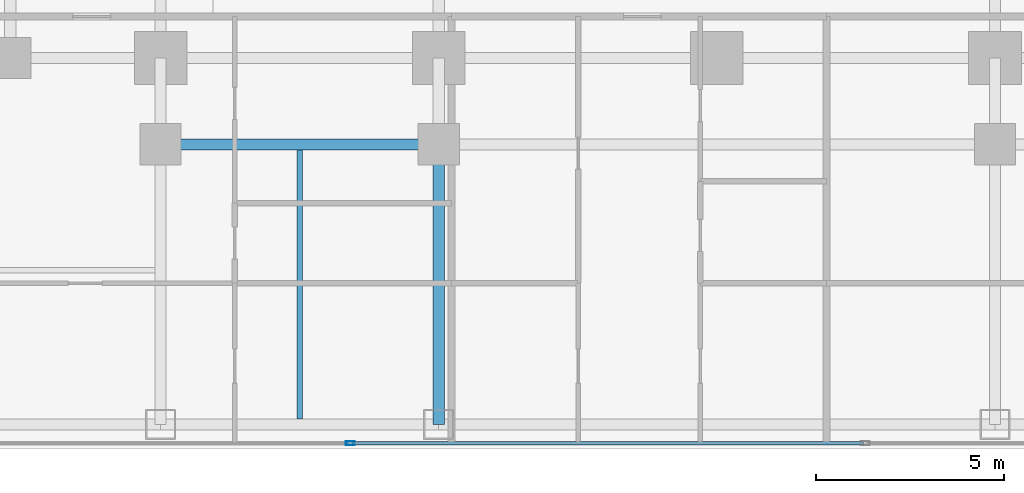
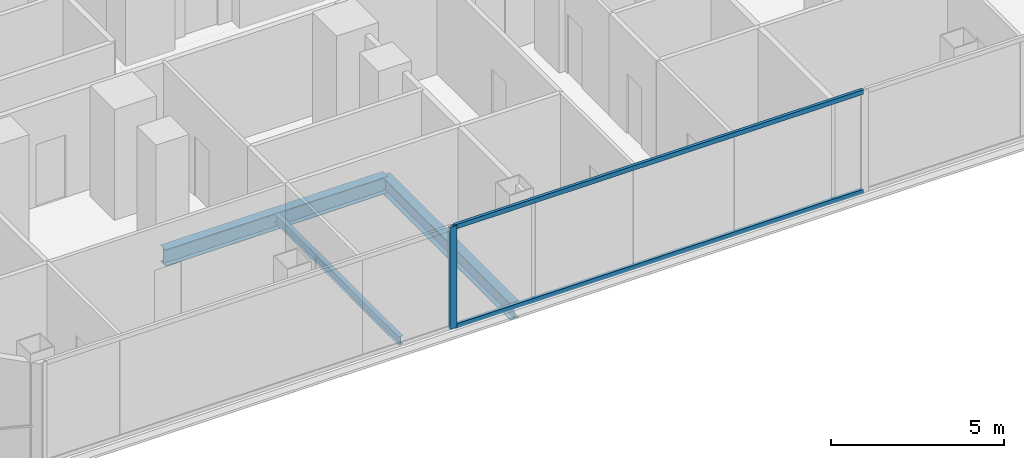
# One storey, part 4 of 29: 3 beams, 3 members, 1 element without a shape of its own.
"""IFC4 building model written with IfcOpenShell, lengths in metres."""

from ifc_helpers import new_model, si_unit, direction, frame, origin, origin_2d, place, context, subcontext, project, spatial, hollow_rectangle, i_section, extrude, material, layer, layer_set, material_profile, profile_set, type_object, element, aggregate, save


model = new_model("IFC4")

# Units and contexts
model_context = context("Model", 3, precision=1e-05, world=origin(), true_north=direction((0.0, 1.0)))
body_context = subcontext(model_context, "Body", "Model", "MODEL_VIEW")
ifc_project = project(units=[si_unit("LENGTHUNIT", "METRE"), si_unit("AREAUNIT", "SQUARE_METRE"), si_unit("VOLUMEUNIT", "CUBIC_METRE"), si_unit("PLANEANGLEUNIT", "RADIAN"), si_unit("MASSUNIT", "GRAM", prefix="KILO")], contexts=[model_context])

# Site, building, storey
site_placement = place(None, origin())
site = spatial("IfcSite", under=ifc_project, at=site_placement, CompositionType="ELEMENT")
building_placement = place(site_placement, origin())
building = spatial("IfcBuilding", under=site, at=building_placement, Name="Khorvyn Point Tower", CompositionType="ELEMENT")
storey_placement = place(building_placement, frame((0.0, 0.0, 73.5)))
storey = spatial("IfcBuildingStorey", under=building, at=storey_placement, Name="L19", CompositionType="ELEMENT", Elevation=73.5)

# Curtain wall, members
ifc_material_1 = material(Name="Anodised aluminium 6063-T6 and laminated Low-E glass", Category="aluminium")
ifc_layer = layer(ifc_material_1, 0.18994140625)
ifc_layer_set = layer_set([ifc_layer], Name="Stick-Built Finned Residential Curtain Wall CW-SYS-02")
curtain_wall_type = type_object("IfcCurtainWallType", Name="Stick-Built Finned Residential Curtain Wall CW-SYS-02", PredefinedType="NOTDEFINED", material=ifc_layer_set)
curtain_wall_placement = place(storey_placement, origin())
curtain_wall = element("IfcCurtainWall", 1, at=curtain_wall_placement, inside=storey, type_object=curtain_wall_type, Name="Curtain Wall", PredefinedType="NOTDEFINED")
ifc_material_2 = material(Name="Anodised aluminium 6063-T6", Category="aluminium")
ifc_material_profile_1 = material_profile(ifc_material_2, hollow_rectangle(XDim=0.10009765625, YDim=0.239990234375, WallThickness=0.0048828125, at=origin_2d()))
ifc_profile_set_1 = profile_set([ifc_material_profile_1], Name="Anodised aluminium 6063-T6 ALU-MUL-100x240")
member_type_1 = type_object("IfcMemberType", Name="Anodised Aluminium 6063-T6 Mullion ALU-MUL-100x240", PredefinedType="MULLION", material=ifc_profile_set_1)
member_1_placement = place(storey_placement, frame((-9.75, -25.050048828125, 0.0), z_axis=(0.0, 0.0, 1.0), x_axis=(0.0, -1.0, 0.0)))
member_1 = element("IfcMember", 2, at=member_1_placement, type_object=member_type_1, Name="Transom", PredefinedType="MULLION", context=body_context, shape_type="SweptSolid", body=[
    extrude(hollow_rectangle(XDim=0.10009765625, YDim=0.239990234375, WallThickness=0.0048828125, at=origin_2d()), origin(), (0.0, 0.0, 1.0), 3.60009765625),
])
ifc_material_profile_2 = material_profile(ifc_material_2, hollow_rectangle(XDim=0.10009765625, YDim=0.159912109375, WallThickness=0.00439453125, at=origin_2d()))
ifc_profile_set_2 = profile_set([ifc_material_profile_2], Name="Anodised aluminium 6063-T6 ALU-TRN-100x160")
member_type_2 = type_object("IfcMemberType", Name="Anodised Aluminium 6063-T6 Transom ALU-TRN-100x160", PredefinedType="USERDEFINED", material=ifc_profile_set_2)
member_2_placement = place(storey_placement, frame((3.89990234375, -25.050048828125, 0.050048828125), z_axis=(-1.0, 0.0, 0.0), x_axis=(0.0, -1.0, 0.0)))
member_2 = element("IfcMember", 3, at=member_2_placement, type_object=member_type_2, Name="Transom", ObjectType="TRANSOM", PredefinedType="USERDEFINED", context=body_context, shape_type="SweptSolid", body=[
    extrude(hollow_rectangle(XDim=0.10009765625, YDim=0.159912109375, WallThickness=0.00439453125, at=origin_2d()), origin(), (0.0, 0.0, 1.0), 13.599853515625),
])
member_3_placement = place(storey_placement, frame((3.89990234375, -25.050048828125, 3.550048828125), z_axis=(-1.0, 0.0, 0.0), x_axis=(0.0, -1.0, 0.0)))
member_3 = element("IfcMember", 4, at=member_3_placement, type_object=member_type_2, Name="Transom", ObjectType="TRANSOM", PredefinedType="USERDEFINED", context=body_context, shape_type="SweptSolid", body=[
    extrude(hollow_rectangle(XDim=0.10009765625, YDim=0.159912109375, WallThickness=0.00439453125, at=origin_2d()), origin(), (0.0, 0.0, 1.0), 13.599853515625),
])
aggregate(curtain_wall, [member_1, member_2, member_3])

# Beams
ifc_material_3 = material(Name="Steel S355", Category="steel")
ifc_material_profile_3 = material_profile(ifc_material_3, i_section(OverallWidth=0.300048828125, OverallDepth=0.587890625, WebThickness=0.011962890625, FlangeThickness=0.02001953125, at=origin_2d()))
ifc_profile_set_3 = profile_set([ifc_material_profile_3], Name="Steel S355 H588x300x12x20")
beam_type_1 = type_object("IfcBeamType", Name="Steel S355 Beam H588x300x12x20", PredefinedType="BEAM", material=ifc_profile_set_3)
beam_1_placement = place(storey_placement, frame((-14.800048828125, -17.10009765625, -0.513916015625), z_axis=(1.0, 0.0, 0.0), x_axis=(0.0, 1.0, 0.0)))
element("IfcBeam", 5, at=beam_1_placement, inside=storey, type_object=beam_type_1, Name="Beam", PredefinedType="BEAM", context=body_context, shape_type="SweptSolid", body=[
    extrude(i_section(OverallWidth=0.300048828125, OverallDepth=0.587890625, WebThickness=0.011962890625, FlangeThickness=0.02001953125, at=origin_2d()), origin(), (0.0, 0.0, 1.0), 7.400146484375),
])
beam_2_placement = place(storey_placement, frame((-7.39990234375, -24.550048828125, -0.513916015625), z_axis=(0.0, 1.0, 0.0), x_axis=(-1.0, 0.0, 0.0)))
element("IfcBeam", 6, at=beam_2_placement, inside=storey, type_object=beam_type_1, Name="Beam", PredefinedType="BEAM", context=body_context, shape_type="SweptSolid", body=[
    extrude(i_section(OverallWidth=0.300048828125, OverallDepth=0.587890625, WebThickness=0.011962890625, FlangeThickness=0.02001953125, at=origin_2d()), origin(), (0.0, 0.0, 1.0), 7.449951171875),
])
ifc_material_profile_4 = material_profile(ifc_material_3, i_section(OverallWidth=0.14990234375, OverallDepth=0.300048828125, WebThickness=0.006591796875, FlangeThickness=0.009033203125, at=origin_2d()))
ifc_profile_set_4 = profile_set([ifc_material_profile_4], Name="Steel S355 H300x150x6.5x9")
beam_type_2 = type_object("IfcBeamType", Name="Steel S355 Joist H300x150x6.5x9", PredefinedType="JOIST", material=ifc_profile_set_4)
beam_3_placement = place(storey_placement, frame((-11.10009765625, -24.39990234375, -0.3701171875), z_axis=(0.0, 1.0, 0.0), x_axis=(-1.0, 0.0, 0.0)))
element("IfcBeam", 7, at=beam_3_placement, inside=storey, type_object=beam_type_2, Name="Beam", PredefinedType="JOIST", context=body_context, shape_type="SweptSolid", body=[
    extrude(i_section(OverallWidth=0.14990234375, OverallDepth=0.300048828125, WebThickness=0.006591796875, FlangeThickness=0.009033203125, at=origin_2d()), origin(), (0.0, 0.0, 1.0), 7.14990234375),
])

save(model, "model.ifc")
